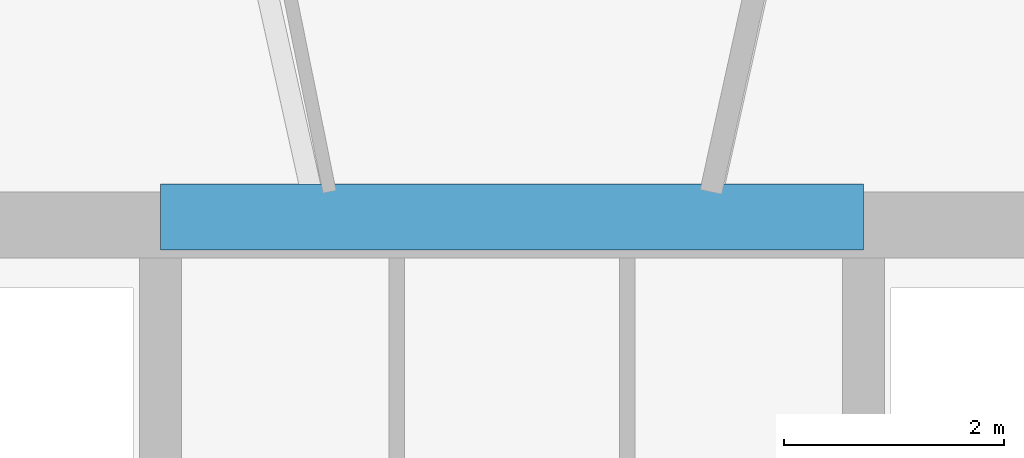
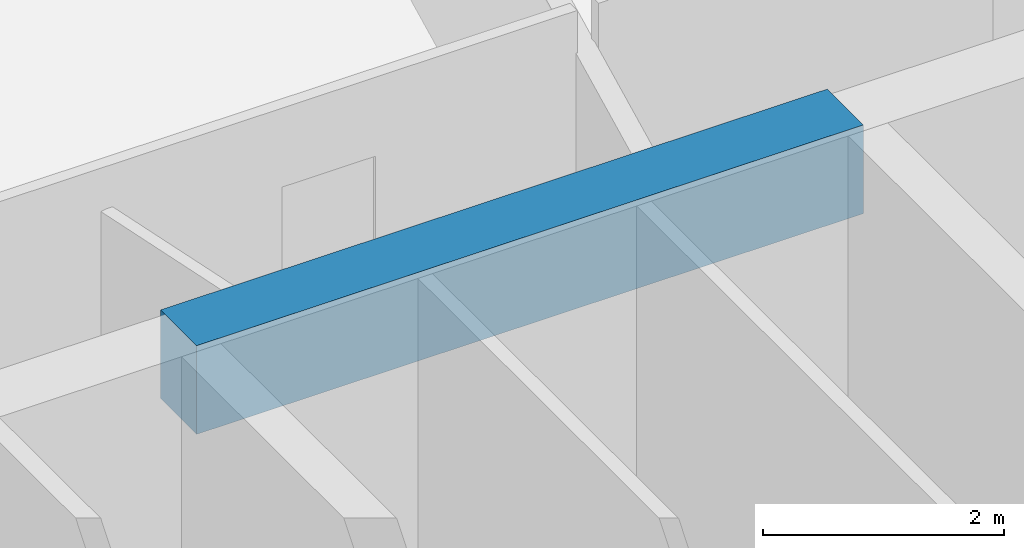
# One storey, part 9 of 26: 1 beam.
"""IFC4 building model written with IfcOpenShell, lengths in metres."""

import ifcopenshell
import ifcopenshell.guid

model = None  # the IFC model being written
_history = None  # IfcOwnerHistory: only IFC2X3 demands one
_inside = {}  # id of a spatial element -> (the spatial element, [elements in it])
_under = {}  # id of a project, library or spatial element -> (it, [spatial elements below it])
_declared = {}  # id of a project -> (the project, [libraries it declares])
_typed = {}  # id of a type object -> (the type object, [elements of that type])
_made_of = {}  # id of a material, layer set ... -> (it, [elements and type objects made of it])


def new_model(schema):
    """Start an empty IFC model of exactly this schema.

    Asked for "IFC4X3", IfcOpenShell would pick the latest addendum, in which some entities
    have other attributes; the version numbers below select the first issue.
    IFC2X3 requires an IfcOwnerHistory on every rooted entity: one is made here for all.
    """
    global model, _history
    if schema == "IFC4X3":
        model = ifcopenshell.file(schema_version=(4, 3, 0, 0))
    else:
        model = ifcopenshell.file(schema=schema)
    _inside.clear()
    _under.clear()
    _declared.clear()
    _typed.clear()
    _made_of.clear()
    _history = None
    if model.schema == "IFC2X3":
        org = make("IfcOrganization", Name="unknown")
        user = make(
            "IfcPersonAndOrganization",
            ThePerson=make("IfcPerson", FamilyName="unknown"),
            TheOrganization=org,
        )
        app = make(
            "IfcApplication",
            ApplicationDeveloper=org,
            Version="unknown",
            ApplicationFullName="unknown",
            ApplicationIdentifier="unknown",
        )
        _history = make(
            "IfcOwnerHistory",
            OwningUser=user,
            OwningApplication=app,
            ChangeAction="ADDED",
            CreationDate=0,
        )
    return model


def make(cls, **values):
    """One entity of the class cls with the attributes given. An attribute that is None is left unset."""
    return model.create_entity(
        cls, **{name: value for name, value in values.items() if value is not None}
    )


def rooted(cls, **values):
    """An entity with a GlobalId (a new one), such as an element, a storey or a relation."""
    return make(cls, GlobalId=ifcopenshell.guid.new(), OwnerHistory=_history, **values)


def si_unit(unit_type, name, prefix=None):
    """IfcSIUnit, for example si_unit("LENGTHUNIT", "METRE", prefix="MILLI")."""
    return make("IfcSIUnit", UnitType=unit_type, Prefix=prefix, Name=name)


def assignment(units):
    """IfcUnitAssignment: the units of a project."""
    return None if units is None else make("IfcUnitAssignment", Units=units)


def point(xyz):
    """IfcCartesianPoint."""
    return None if xyz is None else make("IfcCartesianPoint", Coordinates=xyz)


def direction(xyz):
    """IfcDirection."""
    return None if xyz is None else make("IfcDirection", DirectionRatios=xyz)


def frame(location, z_axis=None, x_axis=None):
    """IfcAxis2Placement3D, a coordinate frame: its origin and axes. An axis left out is left unset."""
    return make(
        "IfcAxis2Placement3D",
        Location=point(location),
        Axis=direction(z_axis),
        RefDirection=direction(x_axis),
    )


def frame_2d(location, x_axis=None):
    """IfcAxis2Placement2D, a coordinate frame in the plane: its origin and x axis."""
    return make(
        "IfcAxis2Placement2D", Location=point(location), RefDirection=direction(x_axis)
    )


def origin():
    """The frame at (0, 0, 0) with its axes left unset."""
    return frame((0.0, 0.0, 0.0))


def origin_2d():
    """The frame at (0, 0) in the plane with its x axis left unset."""
    return frame_2d((0.0, 0.0))


def place(relative_to, where):
    """IfcLocalPlacement: puts the frame where relative to a parent placement (None: the world)."""
    return make(
        "IfcLocalPlacement", PlacementRelTo=relative_to, RelativePlacement=where
    )


def context(
    kind, dimensions, precision=None, world=None, true_north=None, identifier=None
):
    """IfcGeometricRepresentationContext, for example the 3D "Model" context."""
    return make(
        "IfcGeometricRepresentationContext",
        ContextIdentifier=identifier,
        ContextType=kind,
        CoordinateSpaceDimension=dimensions,
        Precision=precision,
        WorldCoordinateSystem=world,
        TrueNorth=true_north,
    )


def subcontext(parent, identifier, kind, view, scale=None):
    """IfcGeometricRepresentationSubContext, for example "Body" below "Model"."""
    return make(
        "IfcGeometricRepresentationSubContext",
        ContextIdentifier=identifier,
        ContextType=kind,
        ParentContext=parent,
        TargetScale=scale,
        TargetView=view,
    )


def project(units=None, contexts=None):
    """IfcProject with its units and contexts."""
    return rooted(
        "IfcProject",
        Name="project",
        RepresentationContexts=contexts,
        UnitsInContext=assignment(units),
    )


def spatial(cls, under=None, at=None, **own):
    """A site, building, storey or space (cls), placed at a placement, below another one or the project."""
    s = rooted(cls, ObjectPlacement=at, **own)
    if under is not None:
        _under.setdefault(under.id(), (under, []))[1].append(s)
    return s


def profile(cls, at=None, kind="AREA", **sizes):
    """A parametric profile (cls). Its sizes go by their IFC names, for example OverallWidth=200.0."""
    return make(cls, ProfileType=kind, Position=at, **sizes)


def rectangle(**sizes):
    """IfcRectangleProfileDef."""
    return profile("IfcRectangleProfileDef", **sizes)


def extrude(swept, where, along, depth):
    """IfcExtrudedAreaSolid: the profile swept, set in the frame where, extruded along a direction by depth."""
    return make(
        "IfcExtrudedAreaSolid",
        SweptArea=swept,
        Position=where,
        ExtrudedDirection=direction(along),
        Depth=depth,
    )


def shape(context_of_items, identifier, shape_type, items):
    """IfcShapeRepresentation: the items that make up one representation, for example the "Body"."""
    return make(
        "IfcShapeRepresentation",
        ContextOfItems=context_of_items,
        RepresentationIdentifier=identifier,
        RepresentationType=shape_type,
        Items=items,
    )


def material(Name=None, Category=None):
    """IfcMaterial."""
    return make("IfcMaterial", Name=Name, Category=Category)


def material_profile(
    of_material, cross_section, Name=None, Category=None, Priority=None
):
    """IfcMaterialProfile: a cross section and its material."""
    return make(
        "IfcMaterialProfile",
        Name=Name,
        Material=of_material,
        Profile=cross_section,
        Priority=Priority,
        Category=Category,
    )


def profile_set(profiles, Name=None, composite=None):
    """IfcMaterialProfileSet."""
    return make(
        "IfcMaterialProfileSet",
        Name=Name,
        MaterialProfiles=profiles,
        CompositeProfile=composite,
    )


def made_of(thing, what):
    """Note that an element or type object is made of a material, layer set ...; save() writes the relation."""
    if what is not None:
        _made_of.setdefault(what.id(), (what, []))[1].append(thing)
    return thing


def type_object(cls, material=None, **own):
    """A type object (cls), such as IfcWallType, which elements share."""
    return made_of(rooted(cls, **own), material)


def element(
    cls,
    number,
    at=None,
    inside=None,
    cuts=None,
    type_object=None,
    material=None,
    context=None,
    identifier="Body",
    shape_type=None,
    held_by="IfcProductDefinitionShape",
    body=None,
    shapes=None,
    **own,
):
    """One element of the class cls, such as IfcWall. Its Tag is "e" and its number.

    at: its placement. inside: the storey or other place that contains it. cuts: it is an
    opening in that element (IfcRelVoidsElement). A single representation is given by context,
    identifier, shape_type and body (its items); several are given by shapes. held_by: the class
    of the entity that holds the representations. save() writes the other relations.
    """
    e = rooted(cls, Tag="e%d" % number, ObjectPlacement=at, **own)
    if body is not None:
        shapes = [shape(context, identifier, shape_type, body)]
    if shapes is not None:
        e.Representation = make(held_by, Representations=shapes)
    if inside is not None:
        _inside.setdefault(inside.id(), (inside, []))[1].append(e)
    if cuts is not None:
        rooted(
            "IfcRelVoidsElement", RelatingBuildingElement=cuts, RelatedOpeningElement=e
        )
    if type_object is not None:
        _typed.setdefault(type_object.id(), (type_object, []))[1].append(e)
    return made_of(e, material)


def aggregate(whole, parts):
    """IfcRelAggregates: a whole, such as a stair, and the parts it consists of."""
    return rooted("IfcRelAggregates", RelatingObject=whole, RelatedObjects=parts)


def save(model, path):
    """Write the relations noted so far, then the file.

    IfcRelAggregates (storeys below a building ...), IfcRelContainedInSpatialStructure (elements
    in a storey), IfcRelDefinesByType, IfcRelAssociatesMaterial and IfcRelDeclares: one each for
    every whole, place, type object, material and project.
    """
    for whole, parts in _under.values():
        aggregate(whole, parts)
    for where, things in _inside.values():
        rooted(
            "IfcRelContainedInSpatialStructure",
            RelatedElements=things,
            RelatingStructure=where,
        )
    for kind, things in _typed.values():
        rooted("IfcRelDefinesByType", RelatedObjects=things, RelatingType=kind)
    for what, things in _made_of.values():
        rooted("IfcRelAssociatesMaterial", RelatedObjects=things, RelatingMaterial=what)
    for by, libraries in _declared.values():
        rooted("IfcRelDeclares", RelatingContext=by, RelatedDefinitions=libraries)
    model.write(path)


model = new_model("IFC4")

# Units and contexts
model_context = context("Model", 3, precision=1e-05, world=origin(), true_north=direction((-0.2419218956, 0.970295726276)))
body_context = subcontext(model_context, "Body", "Model", "MODEL_VIEW")
ifc_project = project(units=[si_unit("LENGTHUNIT", "METRE"), si_unit("AREAUNIT", "SQUARE_METRE"), si_unit("VOLUMEUNIT", "CUBIC_METRE"), si_unit("PLANEANGLEUNIT", "RADIAN"), si_unit("MASSUNIT", "GRAM", prefix="KILO")], contexts=[model_context])

# Site, building, storey
site_placement = place(None, origin())
site = spatial("IfcSite", under=ifc_project, at=site_placement, CompositionType="ELEMENT")
building_placement = place(site_placement, origin())
building = spatial("IfcBuilding", under=site, at=building_placement, Name="Cobrevalo Terracotta Tower", CompositionType="ELEMENT")
storey_placement = place(building_placement, frame((0.0, 0.0, 217.10009765625)))
storey = spatial("IfcBuildingStorey", under=building, at=storey_placement, Name="L57", CompositionType="ELEMENT", Elevation=217.10009765625)

# Beam
ifc_material = material(Name="Concrete C60", Category="concrete")
ifc_material_profile = material_profile(ifc_material, rectangle(XDim=0.60009765625, YDim=0.89990234375, at=origin_2d()), Name="RC CB 600x900")
ifc_profile_set = profile_set([ifc_material_profile], Name="Concrete C60")
beam_type = type_object("IfcBeamType", Name="Structural Beam RC CB 600x900 (Concrete C60)", PredefinedType="BEAM", material=ifc_profile_set)
beam_placement = place(storey_placement, frame((34.800048828125, 34.800048828125, 2.98486328125), z_axis=(1.0, 0.0, 0.0), x_axis=(0.0, 1.0, 0.0)))
element("IfcBeam", 1, at=beam_placement, inside=storey, type_object=beam_type, Name="L57 core coupling beam 2", PredefinedType="BEAM", context=body_context, shape_type="SweptSolid", body=[
    extrude(rectangle(XDim=0.60009765625, YDim=0.89990234375, at=origin_2d()), origin(), (0.0, 0.0, 1.0), 6.39990234375),
])

save(model, "model.ifc")
